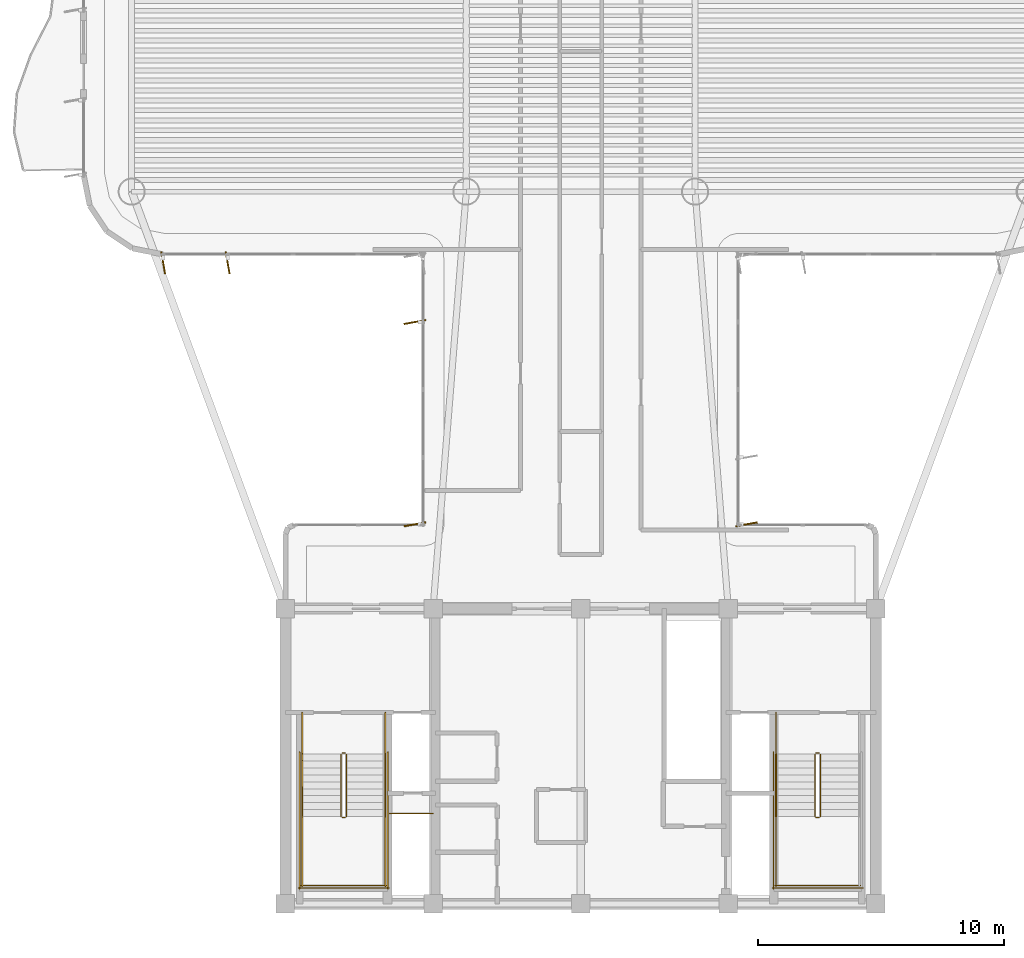
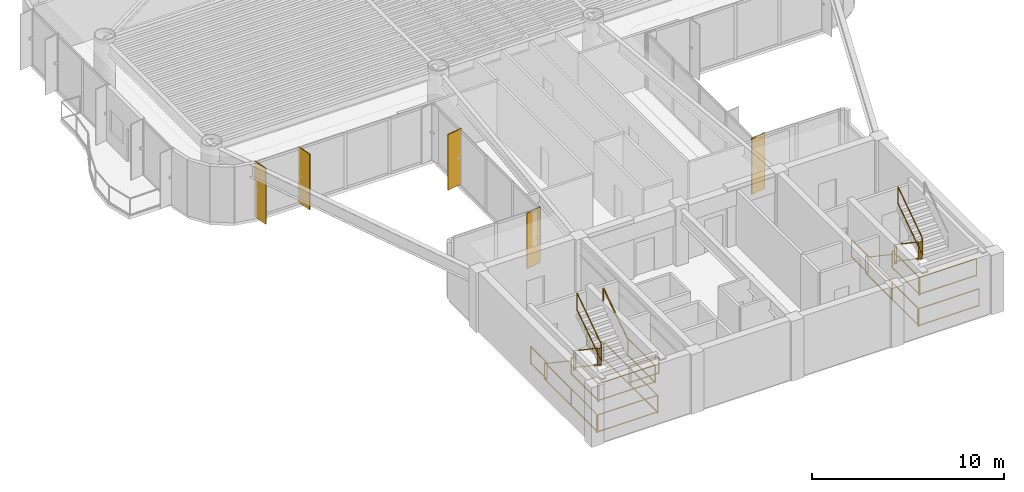
# One storey, part 12 of 13: 25 railings, 5 shading devices.
"""IFC4 building model written with IfcOpenShell, lengths in metres."""

from ifc_helpers import new_model, si_unit, direction, frame, origin, origin_2d, place, context, subcontext, project, spatial, rectangle, extrude, source, transform, mapped, material, layer, layer_set, material_profile, profile_set, type_object, element, save


model = new_model("IFC4")

# Units and contexts
model_context = context("Model", 3, precision=1e-05, world=origin(), true_north=direction((0.0, 1.0)))
body_context = subcontext(model_context, "Body", "Model", "MODEL_VIEW")
ifc_project = project(units=[si_unit("LENGTHUNIT", "METRE"), si_unit("AREAUNIT", "SQUARE_METRE"), si_unit("VOLUMEUNIT", "CUBIC_METRE"), si_unit("PLANEANGLEUNIT", "RADIAN"), si_unit("MASSUNIT", "GRAM", prefix="KILO")], contexts=[model_context])

# Site, building, storey
site_placement = place(None, origin())
site = spatial("IfcSite", under=ifc_project, at=site_placement, CompositionType="ELEMENT")
building_placement = place(site_placement, origin())
building = spatial("IfcBuilding", under=site, at=building_placement, Name="Brelvock Crest Care Tower", CompositionType="ELEMENT")
storey_placement = place(building_placement, frame((0.0, 0.0, 190.43994140625)))
storey = spatial("IfcBuildingStorey", under=building, at=storey_placement, Name="L48", CompositionType="ELEMENT", Elevation=190.43994140625)

# Railings
ifc_material_1 = material(Name="Steel Grade 350", Category="steel")
ifc_layer_1 = layer(ifc_material_1, 0.050048828125, Name="RL-STG1")
ifc_layer_set_1 = layer_set([ifc_layer_1], Name="Steel Grade 350")
railing_type_1 = type_object("IfcRailingType", Name="RL-STG1", PredefinedType="GUARDRAIL", material=ifc_layer_set_1)
railing_1_placement = place(storey_placement, frame((26.260009765625, 12.080078125, 0.18896484375)))
element("IfcRailing", 1, at=railing_1_placement, inside=storey, type_object=railing_type_1, Name="L48 ST-1 stair guard 1", PredefinedType="GUARDRAIL", context=body_context, shape_type="SweptSolid", body=[
    extrude(rectangle(XDim=0.048095703125, YDim=0.048095703125, at=origin_2d()), frame((0.0, -0.001708984375, 1.116943359375), z_axis=(0.0, -0.82882447046, 0.559508710537), x_axis=(1.0, 0.0, 0.0)), (0.0, 0.0, 1.0), 3.036376953125),
    extrude(rectangle(XDim=0.048095703125, YDim=0.048095703125, at=origin_2d()), frame((0.0, -0.001708984375, 0.05615234375), z_axis=(0.0, -0.82882447046, 0.559508710537), x_axis=(1.0, 0.0, 0.0)), (0.0, 0.0, 1.0), 3.036376953125),
    extrude(rectangle(XDim=0.0419921875, YDim=0.0419921875, at=origin_2d()), origin(), (0.0, 0.0, 1.0), 1.08984375),
    extrude(rectangle(XDim=0.0419921875, YDim=0.0419921875, at=origin_2d()), frame((0.0, -2.52001953125, 1.701171875)), (0.0, 0.0, 1.0), 1.08984375),
])
railing_2_placement = place(storey_placement, frame((26.31005859375, 9.510009765625, 1.89013671875)))
element("IfcRailing", 2, at=railing_2_placement, inside=storey, type_object=railing_type_1, Name="L48 ST-1 stair guard 2", PredefinedType="GUARDRAIL", context=body_context, shape_type="SweptSolid", body=[
    extrude(rectangle(XDim=0.048095703125, YDim=0.048095703125, at=origin_2d()), frame((0.001953125, 0.0, 1.11572265625), z_axis=(1.0, 0.0, 0.0), x_axis=(0.0, 1.0, 0.0)), (0.0, 0.0, 1.0), 0.115966796875),
    extrude(rectangle(XDim=0.048095703125, YDim=0.048095703125, at=origin_2d()), frame((0.001953125, 0.0, 0.054931640625), z_axis=(1.0, 0.0, 0.0), x_axis=(0.0, 1.0, 0.0)), (0.0, 0.0, 1.0), 0.115966796875),
    extrude(rectangle(XDim=0.0419921875, YDim=0.0419921875, at=origin_2d()), origin(), (0.0, 0.0, 1.0), 1.08984375),
    extrude(rectangle(XDim=0.0419921875, YDim=0.0419921875, at=origin_2d()), frame((0.119873046875, 0.0, 0.0)), (0.0, 0.0, 1.0), 1.08984375),
])
for number, where, name in (
    (3, (24.679931640625, 9.56005859375, 1.89013671875), "L48 ST-1 stair guard 3"),
    (4, (28.06005859375, 9.56005859375, 1.89013671875), "L48 ST-1 stair guard 4"),
):
    element("IfcRailing", number, at=place(storey_placement, frame(where)), inside=storey, type_object=railing_type_1, Name=name, PredefinedType="GUARDRAIL", context=body_context, shape_type="SweptSolid", body=[
        extrude(rectangle(XDim=0.048095703125, YDim=0.048095703125, at=origin_2d()), frame((0.0, -0.001953125, 1.11572265625), z_axis=(0.0, -1.0, 0.0), x_axis=(1.0, 0.0, 0.0)), (0.0, 0.0, 1.0), 2.856201171875),
        extrude(rectangle(XDim=0.048095703125, YDim=0.048095703125, at=origin_2d()), frame((0.0, -0.001953125, 0.054931640625), z_axis=(0.0, -1.0, 0.0), x_axis=(1.0, 0.0, 0.0)), (0.0, 0.0, 1.0), 2.856201171875),
        extrude(rectangle(XDim=0.0419921875, YDim=0.0419921875, at=origin_2d()), origin(), (0.0, 0.0, 1.0), 1.08984375),
        extrude(rectangle(XDim=0.0419921875, YDim=0.0419921875, at=origin_2d()), frame((0.0, -2.860107421875, 0.0)), (0.0, 0.0, 1.0), 1.08984375),
    ])
railing_3_placement = place(storey_placement, frame((24.6298828125, 6.75, 1.89013671875)))
element("IfcRailing", 5, at=railing_3_placement, inside=storey, type_object=railing_type_1, Name="L48 ST-1 stair guard 5", PredefinedType="GUARDRAIL", context=body_context, shape_type="SweptSolid", body=[
    extrude(rectangle(XDim=0.048095703125, YDim=0.048095703125, at=origin_2d()), frame((0.001953125, 0.0, 1.11572265625), z_axis=(1.0, 0.0, 0.0), x_axis=(0.0, 1.0, 0.0)), (0.0, 0.0, 1.0), 3.476318359375),
    extrude(rectangle(XDim=0.048095703125, YDim=0.048095703125, at=origin_2d()), frame((0.001953125, 0.0, 0.054931640625), z_axis=(1.0, 0.0, 0.0), x_axis=(0.0, 1.0, 0.0)), (0.0, 0.0, 1.0), 3.476318359375),
    extrude(rectangle(XDim=0.0419921875, YDim=0.0419921875, at=origin_2d()), origin(), (0.0, 0.0, 1.0), 1.08984375),
    extrude(rectangle(XDim=0.0419921875, YDim=0.0419921875, at=origin_2d()), frame((3.480224609375, 0.0, 0.0)), (0.0, 0.0, 1.0), 1.08984375),
])
railing_4_placement = place(storey_placement, frame((26.47998046875, 9.56005859375, 2.0791015625)))
element("IfcRailing", 6, at=railing_4_placement, inside=storey, type_object=railing_type_1, Name="L48 ST-1 stair guard 6", PredefinedType="GUARDRAIL", context=body_context, shape_type="SweptSolid", body=[
    extrude(rectangle(XDim=0.048095703125, YDim=0.048095703125, at=origin_2d()), frame((0.0, 0.001708984375, 1.116943359375), z_axis=(0.0, 0.828861706735, 0.559453546873), x_axis=(-1.0, 0.0, 0.0)), (0.0, 0.0, 1.0), 3.036376953125),
    extrude(rectangle(XDim=0.048095703125, YDim=0.048095703125, at=origin_2d()), frame((0.0, 0.001708984375, 0.05615234375), z_axis=(0.0, 0.828861706735, 0.559453546873), x_axis=(-1.0, 0.0, 0.0)), (0.0, 0.0, 1.0), 3.036376953125),
    extrude(rectangle(XDim=0.0419921875, YDim=0.0419921875, at=origin_2d()), origin(), (0.0, 0.0, 1.0), 1.08984375),
    extrude(rectangle(XDim=0.0419921875, YDim=0.0419921875, at=origin_2d()), frame((0.0, 2.52001953125, 1.700927734375)), (0.0, 0.0, 1.0), 1.08984375),
])
railing_5_placement = place(storey_placement, frame((26.31005859375, 12.1298828125, 0.0)))
element("IfcRailing", 7, at=railing_5_placement, inside=storey, type_object=railing_type_1, Name="L48 ST-1 stair guard 7", PredefinedType="GUARDRAIL", context=body_context, shape_type="SweptSolid", body=[
    extrude(rectangle(XDim=0.048095703125, YDim=0.048095703125, at=origin_2d()), frame((0.001953125, 0.0, 1.11572265625), z_axis=(1.0, 0.0, 0.0), x_axis=(0.0, 1.0, 0.0)), (0.0, 0.0, 1.0), 0.115966796875),
    extrude(rectangle(XDim=0.048095703125, YDim=0.048095703125, at=origin_2d()), frame((0.001953125, 0.0, 0.054931640625), z_axis=(1.0, 0.0, 0.0), x_axis=(0.0, 1.0, 0.0)), (0.0, 0.0, 1.0), 0.115966796875),
    extrude(rectangle(XDim=0.0419921875, YDim=0.0419921875, at=origin_2d()), origin(), (0.0, 0.0, 1.0), 1.08984375),
    extrude(rectangle(XDim=0.0419921875, YDim=0.0419921875, at=origin_2d()), frame((0.119873046875, 0.0, 0.0)), (0.0, 0.0, 1.0), 1.08984375),
])
for number, where, name in (
    (8, (24.679931640625, 13.780029296875, 0.0), "L48 ST-1 stair guard 8"),
    (9, (28.06005859375, 13.780029296875, 0.0), "L48 ST-1 stair guard 9"),
):
    element("IfcRailing", number, at=place(storey_placement, frame(where)), inside=storey, type_object=railing_type_1, Name=name, PredefinedType="GUARDRAIL", context=body_context, shape_type="SweptSolid", body=[
        extrude(rectangle(XDim=0.048095703125, YDim=0.048095703125, at=origin_2d()), frame((0.0, -0.001953125, 1.11572265625), z_axis=(0.0, -1.0, 0.0), x_axis=(1.0, 0.0, 0.0)), (0.0, 0.0, 1.0), 1.696044921875),
        extrude(rectangle(XDim=0.048095703125, YDim=0.048095703125, at=origin_2d()), frame((0.0, -0.001953125, 0.054931640625), z_axis=(0.0, -1.0, 0.0), x_axis=(1.0, 0.0, 0.0)), (0.0, 0.0, 1.0), 1.696044921875),
        extrude(rectangle(XDim=0.0419921875, YDim=0.0419921875, at=origin_2d()), origin(), (0.0, 0.0, 1.0), 1.08984375),
        extrude(rectangle(XDim=0.0419921875, YDim=0.0419921875, at=origin_2d()), frame((0.0, -1.699951171875, 0.0)), (0.0, 0.0, 1.0), 1.08984375),
    ])
for number, where, name in (
    (10, (24.580078125, 12.179931640625, 0.0), "L48 ST-1 stair guard 10"),
    (11, (28.159912109375, 12.179931640625, 0.0), "L48 ST-1 stair guard 11"),
):
    element("IfcRailing", number, at=place(storey_placement, frame(where)), inside=storey, type_object=railing_type_1, Name=name, PredefinedType="GUARDRAIL", context=body_context, shape_type="SweptSolid", body=[
        extrude(rectangle(XDim=0.048095703125, YDim=0.048095703125, at=origin_2d()), frame((0.0, -0.001953125, 1.11572265625), z_axis=(0.0, -1.0, 0.0), x_axis=(1.0, 0.0, 0.0)), (0.0, 0.0, 1.0), 5.575927734375),
        extrude(rectangle(XDim=0.048095703125, YDim=0.048095703125, at=origin_2d()), frame((0.0, -0.001953125, 0.054931640625), z_axis=(0.0, -1.0, 0.0), x_axis=(1.0, 0.0, 0.0)), (0.0, 0.0, 1.0), 5.575927734375),
        extrude(rectangle(XDim=0.0419921875, YDim=0.0419921875, at=origin_2d()), origin(), (0.0, 0.0, 1.0), 1.08984375),
        extrude(rectangle(XDim=0.0419921875, YDim=0.0419921875, at=origin_2d()), frame((0.0, -2.7900390625, 0.0)), (0.0, 0.0, 1.0), 1.08984375),
        extrude(rectangle(XDim=0.0419921875, YDim=0.0419921875, at=origin_2d()), frame((0.0, -5.579833984375, 0.0)), (0.0, 0.0, 1.0), 1.08984375),
    ])
railing_6_placement = place(storey_placement, frame((24.530029296875, 6.64990234375, 0.0)))
element("IfcRailing", 12, at=railing_6_placement, inside=storey, type_object=railing_type_1, Name="L48 ST-1 stair guard 12", PredefinedType="GUARDRAIL", context=body_context, shape_type="SweptSolid", body=[
    extrude(rectangle(XDim=0.048095703125, YDim=0.048095703125, at=origin_2d()), frame((0.001953125, 0.0, 1.11572265625), z_axis=(1.0, 0.0, 0.0), x_axis=(0.0, 1.0, 0.0)), (0.0, 0.0, 1.0), 3.676025390625),
    extrude(rectangle(XDim=0.048095703125, YDim=0.048095703125, at=origin_2d()), frame((0.001953125, 0.0, 0.054931640625), z_axis=(1.0, 0.0, 0.0), x_axis=(0.0, 1.0, 0.0)), (0.0, 0.0, 1.0), 3.676025390625),
    extrude(rectangle(XDim=0.0419921875, YDim=0.0419921875, at=origin_2d()), origin(), (0.0, 0.0, 1.0), 1.08984375),
    extrude(rectangle(XDim=0.0419921875, YDim=0.0419921875, at=origin_2d()), frame((3.679931640625, 0.0, 0.0)), (0.0, 0.0, 1.0), 1.08984375),
])
railing_7_placement = place(storey_placement, frame((45.52001953125, 12.080078125, 0.18896484375)))
element("IfcRailing", 13, at=railing_7_placement, inside=storey, type_object=railing_type_1, Name="L48 ST-2 stair guard 1", PredefinedType="GUARDRAIL", context=body_context, shape_type="SweptSolid", body=[
    extrude(rectangle(XDim=0.048095703125, YDim=0.048095703125, at=origin_2d()), frame((0.0, -0.001708984375, 1.116943359375), z_axis=(0.0, -0.82882447046, 0.559508710537), x_axis=(1.0, 0.0, 0.0)), (0.0, 0.0, 1.0), 3.036376953125),
    extrude(rectangle(XDim=0.048095703125, YDim=0.048095703125, at=origin_2d()), frame((0.0, -0.001708984375, 0.05615234375), z_axis=(0.0, -0.82882447046, 0.559508710537), x_axis=(1.0, 0.0, 0.0)), (0.0, 0.0, 1.0), 3.036376953125),
    extrude(rectangle(XDim=0.0419921875, YDim=0.0419921875, at=origin_2d()), origin(), (0.0, 0.0, 1.0), 1.08984375),
    extrude(rectangle(XDim=0.0419921875, YDim=0.0419921875, at=origin_2d()), frame((0.0, -2.52001953125, 1.701171875)), (0.0, 0.0, 1.0), 1.08984375),
])
railing_8_placement = place(storey_placement, frame((45.570068359375, 9.510009765625, 1.89013671875)))
element("IfcRailing", 14, at=railing_8_placement, inside=storey, type_object=railing_type_1, Name="L48 ST-2 stair guard 2", PredefinedType="GUARDRAIL", context=body_context, shape_type="SweptSolid", body=[
    extrude(rectangle(XDim=0.048095703125, YDim=0.048095703125, at=origin_2d()), frame((0.001953125, 0.0, 1.11572265625), z_axis=(1.0, 0.0, 0.0), x_axis=(0.0, 1.0, 0.0)), (0.0, 0.0, 1.0), 0.115966796875),
    extrude(rectangle(XDim=0.048095703125, YDim=0.048095703125, at=origin_2d()), frame((0.001953125, 0.0, 0.054931640625), z_axis=(1.0, 0.0, 0.0), x_axis=(0.0, 1.0, 0.0)), (0.0, 0.0, 1.0), 0.115966796875),
    extrude(rectangle(XDim=0.0419921875, YDim=0.0419921875, at=origin_2d()), origin(), (0.0, 0.0, 1.0), 1.08984375),
    extrude(rectangle(XDim=0.0419921875, YDim=0.0419921875, at=origin_2d()), frame((0.119873046875, 0.0, 0.0)), (0.0, 0.0, 1.0), 1.08984375),
])
railing_9_placement = place(storey_placement, frame((43.93994140625, 9.56005859375, 1.89013671875)))
element("IfcRailing", 15, at=railing_9_placement, inside=storey, type_object=railing_type_1, Name="L48 ST-2 stair guard 3", PredefinedType="GUARDRAIL", context=body_context, shape_type="SweptSolid", body=[
    extrude(rectangle(XDim=0.048095703125, YDim=0.048095703125, at=origin_2d()), frame((0.0, -0.001953125, 1.11572265625), z_axis=(0.0, -1.0, 0.0), x_axis=(1.0, 0.0, 0.0)), (0.0, 0.0, 1.0), 2.856201171875),
    extrude(rectangle(XDim=0.048095703125, YDim=0.048095703125, at=origin_2d()), frame((0.0, -0.001953125, 0.054931640625), z_axis=(0.0, -1.0, 0.0), x_axis=(1.0, 0.0, 0.0)), (0.0, 0.0, 1.0), 2.856201171875),
    extrude(rectangle(XDim=0.0419921875, YDim=0.0419921875, at=origin_2d()), origin(), (0.0, 0.0, 1.0), 1.08984375),
    extrude(rectangle(XDim=0.0419921875, YDim=0.0419921875, at=origin_2d()), frame((0.0, -2.860107421875, 0.0)), (0.0, 0.0, 1.0), 1.08984375),
])
railing_10_placement = place(storey_placement, frame((43.889892578125, 6.75, 1.89013671875)))
element("IfcRailing", 16, at=railing_10_placement, inside=storey, type_object=railing_type_1, Name="L48 ST-2 stair guard 5", PredefinedType="GUARDRAIL", context=body_context, shape_type="SweptSolid", body=[
    extrude(rectangle(XDim=0.048095703125, YDim=0.048095703125, at=origin_2d()), frame((0.001953125, 0.0, 1.11572265625), z_axis=(1.0, 0.0, 0.0), x_axis=(0.0, 1.0, 0.0)), (0.0, 0.0, 1.0), 3.476318359375),
    extrude(rectangle(XDim=0.048095703125, YDim=0.048095703125, at=origin_2d()), frame((0.001953125, 0.0, 0.054931640625), z_axis=(1.0, 0.0, 0.0), x_axis=(0.0, 1.0, 0.0)), (0.0, 0.0, 1.0), 3.476318359375),
    extrude(rectangle(XDim=0.0419921875, YDim=0.0419921875, at=origin_2d()), origin(), (0.0, 0.0, 1.0), 1.08984375),
    extrude(rectangle(XDim=0.0419921875, YDim=0.0419921875, at=origin_2d()), frame((3.480224609375, 0.0, 0.0)), (0.0, 0.0, 1.0), 1.08984375),
])
railing_11_placement = place(storey_placement, frame((45.739990234375, 9.56005859375, 2.0791015625)))
element("IfcRailing", 17, at=railing_11_placement, inside=storey, type_object=railing_type_1, Name="L48 ST-2 stair guard 6", PredefinedType="GUARDRAIL", context=body_context, shape_type="SweptSolid", body=[
    extrude(rectangle(XDim=0.048095703125, YDim=0.048095703125, at=origin_2d()), frame((0.0, 0.001708984375, 1.116943359375), z_axis=(0.0, 0.828861706735, 0.559453546873), x_axis=(-1.0, 0.0, 0.0)), (0.0, 0.0, 1.0), 3.036376953125),
    extrude(rectangle(XDim=0.048095703125, YDim=0.048095703125, at=origin_2d()), frame((0.0, 0.001708984375, 0.05615234375), z_axis=(0.0, 0.828861706735, 0.559453546873), x_axis=(-1.0, 0.0, 0.0)), (0.0, 0.0, 1.0), 3.036376953125),
    extrude(rectangle(XDim=0.0419921875, YDim=0.0419921875, at=origin_2d()), origin(), (0.0, 0.0, 1.0), 1.08984375),
    extrude(rectangle(XDim=0.0419921875, YDim=0.0419921875, at=origin_2d()), frame((0.0, 2.52001953125, 1.700927734375)), (0.0, 0.0, 1.0), 1.08984375),
])
railing_12_placement = place(storey_placement, frame((45.570068359375, 12.1298828125, 0.0)))
element("IfcRailing", 18, at=railing_12_placement, inside=storey, type_object=railing_type_1, Name="L48 ST-2 stair guard 7", PredefinedType="GUARDRAIL", context=body_context, shape_type="SweptSolid", body=[
    extrude(rectangle(XDim=0.048095703125, YDim=0.048095703125, at=origin_2d()), frame((0.001953125, 0.0, 1.11572265625), z_axis=(1.0, 0.0, 0.0), x_axis=(0.0, 1.0, 0.0)), (0.0, 0.0, 1.0), 0.115966796875),
    extrude(rectangle(XDim=0.048095703125, YDim=0.048095703125, at=origin_2d()), frame((0.001953125, 0.0, 0.054931640625), z_axis=(1.0, 0.0, 0.0), x_axis=(0.0, 1.0, 0.0)), (0.0, 0.0, 1.0), 0.115966796875),
    extrude(rectangle(XDim=0.0419921875, YDim=0.0419921875, at=origin_2d()), origin(), (0.0, 0.0, 1.0), 1.08984375),
    extrude(rectangle(XDim=0.0419921875, YDim=0.0419921875, at=origin_2d()), frame((0.119873046875, 0.0, 0.0)), (0.0, 0.0, 1.0), 1.08984375),
])
railing_13_placement = place(storey_placement, frame((43.93994140625, 13.780029296875, 0.0)))
element("IfcRailing", 19, at=railing_13_placement, inside=storey, type_object=railing_type_1, Name="L48 ST-2 stair guard 8", PredefinedType="GUARDRAIL", context=body_context, shape_type="SweptSolid", body=[
    extrude(rectangle(XDim=0.048095703125, YDim=0.048095703125, at=origin_2d()), frame((0.0, -0.001953125, 1.11572265625), z_axis=(0.0, -1.0, 0.0), x_axis=(1.0, 0.0, 0.0)), (0.0, 0.0, 1.0), 1.696044921875),
    extrude(rectangle(XDim=0.048095703125, YDim=0.048095703125, at=origin_2d()), frame((0.0, -0.001953125, 0.054931640625), z_axis=(0.0, -1.0, 0.0), x_axis=(1.0, 0.0, 0.0)), (0.0, 0.0, 1.0), 1.696044921875),
    extrude(rectangle(XDim=0.0419921875, YDim=0.0419921875, at=origin_2d()), origin(), (0.0, 0.0, 1.0), 1.08984375),
    extrude(rectangle(XDim=0.0419921875, YDim=0.0419921875, at=origin_2d()), frame((0.0, -1.699951171875, 0.0)), (0.0, 0.0, 1.0), 1.08984375),
])
railing_14_placement = place(storey_placement, frame((43.840087890625, 12.179931640625, 0.0)))
element("IfcRailing", 20, at=railing_14_placement, inside=storey, type_object=railing_type_1, Name="L48 ST-2 stair guard 10", PredefinedType="GUARDRAIL", context=body_context, shape_type="SweptSolid", body=[
    extrude(rectangle(XDim=0.048095703125, YDim=0.048095703125, at=origin_2d()), frame((0.0, -0.001953125, 1.11572265625), z_axis=(0.0, -1.0, 0.0), x_axis=(1.0, 0.0, 0.0)), (0.0, 0.0, 1.0), 5.575927734375),
    extrude(rectangle(XDim=0.048095703125, YDim=0.048095703125, at=origin_2d()), frame((0.0, -0.001953125, 0.054931640625), z_axis=(0.0, -1.0, 0.0), x_axis=(1.0, 0.0, 0.0)), (0.0, 0.0, 1.0), 5.575927734375),
    extrude(rectangle(XDim=0.0419921875, YDim=0.0419921875, at=origin_2d()), origin(), (0.0, 0.0, 1.0), 1.08984375),
    extrude(rectangle(XDim=0.0419921875, YDim=0.0419921875, at=origin_2d()), frame((0.0, -2.7900390625, 0.0)), (0.0, 0.0, 1.0), 1.08984375),
    extrude(rectangle(XDim=0.0419921875, YDim=0.0419921875, at=origin_2d()), frame((0.0, -5.579833984375, 0.0)), (0.0, 0.0, 1.0), 1.08984375),
])
railing_15_placement = place(storey_placement, frame((43.7900390625, 6.64990234375, 0.0)))
element("IfcRailing", 21, at=railing_15_placement, inside=storey, type_object=railing_type_1, Name="L48 ST-2 stair guard 12", PredefinedType="GUARDRAIL", context=body_context, shape_type="SweptSolid", body=[
    extrude(rectangle(XDim=0.048095703125, YDim=0.048095703125, at=origin_2d()), frame((0.001953125, 0.0, 1.11572265625), z_axis=(1.0, 0.0, 0.0), x_axis=(0.0, 1.0, 0.0)), (0.0, 0.0, 1.0), 3.676025390625),
    extrude(rectangle(XDim=0.048095703125, YDim=0.048095703125, at=origin_2d()), frame((0.001953125, 0.0, 0.054931640625), z_axis=(1.0, 0.0, 0.0), x_axis=(0.0, 1.0, 0.0)), (0.0, 0.0, 1.0), 3.676025390625),
    extrude(rectangle(XDim=0.0419921875, YDim=0.0419921875, at=origin_2d()), origin(), (0.0, 0.0, 1.0), 1.08984375),
    extrude(rectangle(XDim=0.0419921875, YDim=0.0419921875, at=origin_2d()), frame((3.679931640625, 0.0, 0.0)), (0.0, 0.0, 1.0), 1.08984375),
])
railing_16_placement = place(storey_placement, frame((28.219970703125, 9.679931640625, 0.0)))
element("IfcRailing", 22, at=railing_16_placement, inside=storey, type_object=railing_type_1, Name="L48 Fire Riser Threshold Guard", PredefinedType="GUARDRAIL", context=body_context, shape_type="SweptSolid", body=[
    extrude(rectangle(XDim=0.048095703125, YDim=0.048095703125, at=origin_2d()), frame((0.001953125, 0.0, 1.11572265625), z_axis=(1.0, 0.0, 0.0), x_axis=(0.0, 1.0, 0.0)), (0.0, 0.0, 1.0), 1.776123046875),
    extrude(rectangle(XDim=0.048095703125, YDim=0.048095703125, at=origin_2d()), frame((0.001953125, 0.0, 0.054931640625), z_axis=(1.0, 0.0, 0.0), x_axis=(0.0, 1.0, 0.0)), (0.0, 0.0, 1.0), 1.776123046875),
    extrude(rectangle(XDim=0.0419921875, YDim=0.0419921875, at=origin_2d()), origin(), (0.0, 0.0, 1.0), 1.08984375),
    extrude(rectangle(XDim=0.0419921875, YDim=0.0419921875, at=origin_2d()), frame((1.780029296875, 0.0, 0.0)), (0.0, 0.0, 1.0), 1.08984375),
])
ifc_layer_2 = layer(ifc_material_1, 0.048095703125, Name="RL-STH1")
ifc_layer_set_2 = layer_set([ifc_layer_2], Name="Steel Grade 350")
railing_type_2 = type_object("IfcRailingType", Name="RL-STH1", PredefinedType="HANDRAIL", material=ifc_layer_set_2)
railing_17_placement = place(storey_placement, frame((24.679931640625, 12.080078125, 0.18896484375)))
element("IfcRailing", 23, at=railing_17_placement, inside=storey, type_object=railing_type_2, Name="L48 ST-1 stair handrail 1", PredefinedType="HANDRAIL", context=body_context, shape_type="SweptSolid", body=[
    extrude(rectangle(XDim=0.048095703125, YDim=0.048095703125, at=origin_2d()), frame((0.0, -0.001708984375, 0.876953125), z_axis=(0.0, -0.82882447046, 0.559508710537), x_axis=(1.0, 0.0, 0.0)), (0.0, 0.0, 1.0), 3.036376953125),
    extrude(rectangle(XDim=0.0419921875, YDim=0.0419921875, at=origin_2d()), origin(), (0.0, 0.0, 1.0), 0.849853515625),
    extrude(rectangle(XDim=0.0419921875, YDim=0.0419921875, at=origin_2d()), frame((0.0, -2.52001953125, 1.701171875)), (0.0, 0.0, 1.0), 0.849853515625),
])
railing_18_placement = place(storey_placement, frame((28.06005859375, 9.56005859375, 2.0791015625)))
element("IfcRailing", 24, at=railing_18_placement, inside=storey, type_object=railing_type_2, Name="L48 ST-1 stair handrail 2", PredefinedType="HANDRAIL", context=body_context, shape_type="SweptSolid", body=[
    extrude(rectangle(XDim=0.048095703125, YDim=0.048095703125, at=origin_2d()), frame((0.0, 0.001708984375, 0.876953125), z_axis=(0.0, 0.828861706735, 0.559453546873), x_axis=(-1.0, 0.0, 0.0)), (0.0, 0.0, 1.0), 3.036376953125),
    extrude(rectangle(XDim=0.0419921875, YDim=0.0419921875, at=origin_2d()), origin(), (0.0, 0.0, 1.0), 0.849853515625),
    extrude(rectangle(XDim=0.0419921875, YDim=0.0419921875, at=origin_2d()), frame((0.0, 2.52001953125, 1.700927734375)), (0.0, 0.0, 1.0), 0.849853515625),
])
railing_19_placement = place(storey_placement, frame((43.93994140625, 12.080078125, 0.18896484375)))
element("IfcRailing", 25, at=railing_19_placement, inside=storey, type_object=railing_type_2, Name="L48 ST-2 stair handrail 1", PredefinedType="HANDRAIL", context=body_context, shape_type="SweptSolid", body=[
    extrude(rectangle(XDim=0.048095703125, YDim=0.048095703125, at=origin_2d()), frame((0.0, -0.001708984375, 0.876953125), z_axis=(0.0, -0.82882447046, 0.559508710537), x_axis=(1.0, 0.0, 0.0)), (0.0, 0.0, 1.0), 3.036376953125),
    extrude(rectangle(XDim=0.0419921875, YDim=0.0419921875, at=origin_2d()), origin(), (0.0, 0.0, 1.0), 0.849853515625),
    extrude(rectangle(XDim=0.0419921875, YDim=0.0419921875, at=origin_2d()), frame((0.0, -2.52001953125, 1.701171875)), (0.0, 0.0, 1.0), 0.849853515625),
])

# Shading devices
ifc_material_2 = material(Name="Aluminium 6063-T6", Category="aluminium")
ifc_material_profile = material_profile(ifc_material_2, rectangle(XDim=0.054931640625, YDim=0.89990234375, at=origin_2d()), Name="FIN55x900")
ifc_profile_set = profile_set([ifc_material_profile], Name="Aluminium 6063-T6")
shading_device_type = type_object("IfcShadingDeviceType", Name="SHD-FIN1", PredefinedType="USERDEFINED", material=ifc_profile_set)
shared_shape = source(origin(), body_context, "Body", "SweptSolid", [
    extrude(rectangle(XDim=0.054931640625, YDim=0.89990234375, at=origin_2d()), origin(), (0.0, 0.0, 1.0), 3.530029296875),
])
for number, where, z_axis, x_axis, name in (
    (26, (29.260009765625, 21.429931640625, 0.0), (0.0, 0.0, 1.0), (-0.173648177667, 0.984807753012, 0.0), "L48 Vertical Sunshade Fin E11-01"),
    (27, (29.260009765625, 29.64990234375, 0.0), (0.0, 0.0, 1.0), (-0.173648177667, 0.984807753012, 0.0), "L48 Vertical Sunshade Fin E11-04"),
    (28, (21.64990234375, 32.06005859375, 0.0), (0.0, 0.0, 1.0), (-0.984807753012, -0.173648177667, 0.0), "L48 Vertical Sunshade Fin E12-04"),
    (29, (19.030029296875, 32.06005859375, 0.0), (0.0, 0.0, 1.0), (-0.984807753012, -0.173648177667, 0.0), "L48 Vertical Sunshade Fin E12-05"),
    (30, (42.739990234375, 21.429931640625, 0.0), (0.0, 0.0, 1.0), (0.173648177667, -0.984807753012, 0.0), "L48 Vertical Sunshade Fin E45-05"),
):
    element("IfcShadingDevice", number, at=place(storey_placement, frame(where, z_axis=z_axis, x_axis=x_axis)), inside=storey, type_object=shading_device_type, Name=name, ObjectType="FIN", PredefinedType="USERDEFINED", context=body_context, shape_type="MappedRepresentation", body=[
        mapped(shared_shape, transform((0.0, 0.0, 0.0), x_axis=(1.0, 0.0, 0.0), y_axis=(0.0, 1.0, 0.0), z_axis=(0.0, 0.0, 1.0), scale=1.0)),
    ])

save(model, "model.ifc")
